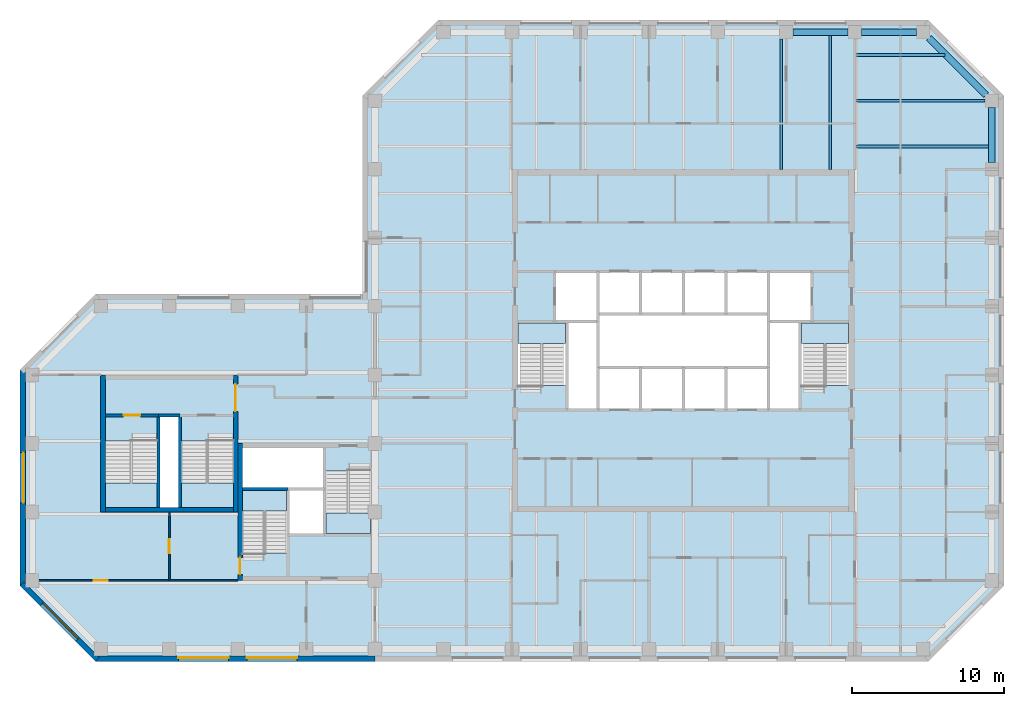
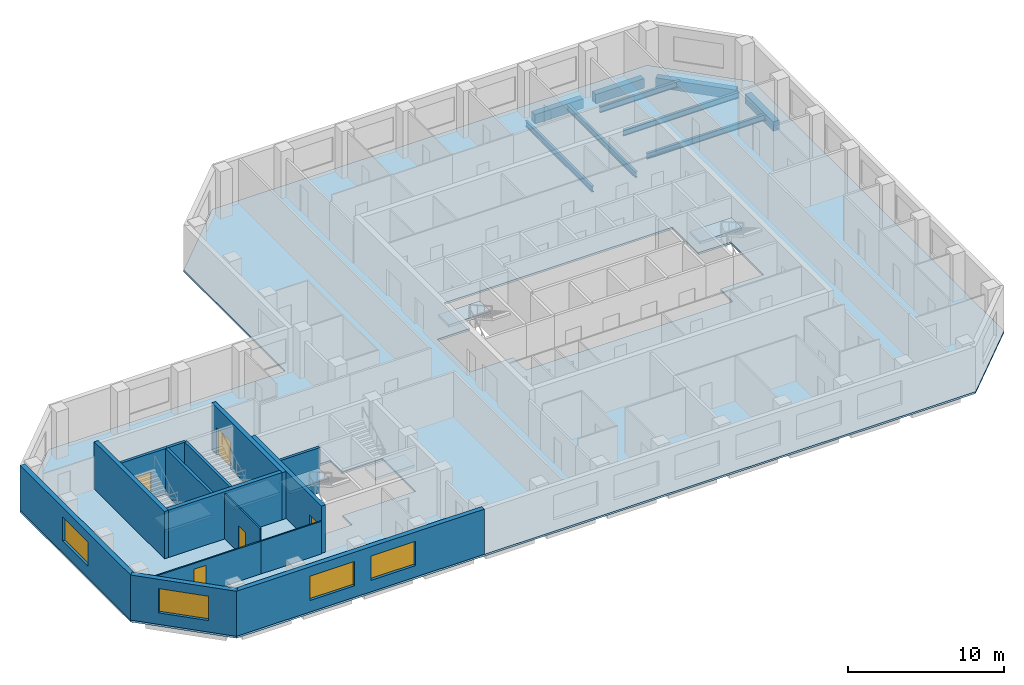
# One storey, part 2 of 9: 15 walls, 9 beams, 7 slabs, 5 doors, 4 windows, 9 openings, 6 elements without a shape of their own.
"""IFC4 building model written with IfcOpenShell, lengths in metres."""

import ifcopenshell
import ifcopenshell.guid

model = None  # the IFC model being written
_history = None  # IfcOwnerHistory: only IFC2X3 demands one
_inside = {}  # id of a spatial element -> (the spatial element, [elements in it])
_under = {}  # id of a project, library or spatial element -> (it, [spatial elements below it])
_declared = {}  # id of a project -> (the project, [libraries it declares])
_typed = {}  # id of a type object -> (the type object, [elements of that type])
_made_of = {}  # id of a material, layer set ... -> (it, [elements and type objects made of it])


def new_model(schema):
    """Start an empty IFC model of exactly this schema.

    Asked for "IFC4X3", IfcOpenShell would pick the latest addendum, in which some entities
    have other attributes; the version numbers below select the first issue.
    IFC2X3 requires an IfcOwnerHistory on every rooted entity: one is made here for all.
    """
    global model, _history
    if schema == "IFC4X3":
        model = ifcopenshell.file(schema_version=(4, 3, 0, 0))
    else:
        model = ifcopenshell.file(schema=schema)
    _inside.clear()
    _under.clear()
    _declared.clear()
    _typed.clear()
    _made_of.clear()
    _history = None
    if model.schema == "IFC2X3":
        org = make("IfcOrganization", Name="unknown")
        user = make(
            "IfcPersonAndOrganization",
            ThePerson=make("IfcPerson", FamilyName="unknown"),
            TheOrganization=org,
        )
        app = make(
            "IfcApplication",
            ApplicationDeveloper=org,
            Version="unknown",
            ApplicationFullName="unknown",
            ApplicationIdentifier="unknown",
        )
        _history = make(
            "IfcOwnerHistory",
            OwningUser=user,
            OwningApplication=app,
            ChangeAction="ADDED",
            CreationDate=0,
        )
    return model


def make(cls, **values):
    """One entity of the class cls with the attributes given. An attribute that is None is left unset."""
    return model.create_entity(
        cls, **{name: value for name, value in values.items() if value is not None}
    )


def rooted(cls, **values):
    """An entity with a GlobalId (a new one), such as an element, a storey or a relation."""
    return make(cls, GlobalId=ifcopenshell.guid.new(), OwnerHistory=_history, **values)


def si_unit(unit_type, name, prefix=None):
    """IfcSIUnit, for example si_unit("LENGTHUNIT", "METRE", prefix="MILLI")."""
    return make("IfcSIUnit", UnitType=unit_type, Prefix=prefix, Name=name)


def assignment(units):
    """IfcUnitAssignment: the units of a project."""
    return None if units is None else make("IfcUnitAssignment", Units=units)


def point(xyz):
    """IfcCartesianPoint."""
    return None if xyz is None else make("IfcCartesianPoint", Coordinates=xyz)


def direction(xyz):
    """IfcDirection."""
    return None if xyz is None else make("IfcDirection", DirectionRatios=xyz)


def frame(location, z_axis=None, x_axis=None):
    """IfcAxis2Placement3D, a coordinate frame: its origin and axes. An axis left out is left unset."""
    return make(
        "IfcAxis2Placement3D",
        Location=point(location),
        Axis=direction(z_axis),
        RefDirection=direction(x_axis),
    )


def frame_2d(location, x_axis=None):
    """IfcAxis2Placement2D, a coordinate frame in the plane: its origin and x axis."""
    return make(
        "IfcAxis2Placement2D", Location=point(location), RefDirection=direction(x_axis)
    )


def origin():
    """The frame at (0, 0, 0) with its axes left unset."""
    return frame((0.0, 0.0, 0.0))


def origin_2d():
    """The frame at (0, 0) in the plane with its x axis left unset."""
    return frame_2d((0.0, 0.0))


def place(relative_to, where):
    """IfcLocalPlacement: puts the frame where relative to a parent placement (None: the world)."""
    return make(
        "IfcLocalPlacement", PlacementRelTo=relative_to, RelativePlacement=where
    )


def context(
    kind, dimensions, precision=None, world=None, true_north=None, identifier=None
):
    """IfcGeometricRepresentationContext, for example the 3D "Model" context."""
    return make(
        "IfcGeometricRepresentationContext",
        ContextIdentifier=identifier,
        ContextType=kind,
        CoordinateSpaceDimension=dimensions,
        Precision=precision,
        WorldCoordinateSystem=world,
        TrueNorth=true_north,
    )


def subcontext(parent, identifier, kind, view, scale=None):
    """IfcGeometricRepresentationSubContext, for example "Body" below "Model"."""
    return make(
        "IfcGeometricRepresentationSubContext",
        ContextIdentifier=identifier,
        ContextType=kind,
        ParentContext=parent,
        TargetScale=scale,
        TargetView=view,
    )


def project(units=None, contexts=None):
    """IfcProject with its units and contexts."""
    return rooted(
        "IfcProject",
        Name="project",
        RepresentationContexts=contexts,
        UnitsInContext=assignment(units),
    )


def spatial(cls, under=None, at=None, **own):
    """A site, building, storey or space (cls), placed at a placement, below another one or the project."""
    s = rooted(cls, ObjectPlacement=at, **own)
    if under is not None:
        _under.setdefault(under.id(), (under, []))[1].append(s)
    return s


def polyline(points):
    """IfcPolyline through the points."""
    return make("IfcPolyline", Points=[point(p) for p in points])


def profile(cls, at=None, kind="AREA", **sizes):
    """A parametric profile (cls). Its sizes go by their IFC names, for example OverallWidth=200.0."""
    return make(cls, ProfileType=kind, Position=at, **sizes)


def rectangle(**sizes):
    """IfcRectangleProfileDef."""
    return profile("IfcRectangleProfileDef", **sizes)


def i_section(**sizes):
    """IfcIShapeProfileDef."""
    return profile("IfcIShapeProfileDef", **sizes)


def outline(outer, holes=None, kind="AREA"):
    """IfcArbitraryClosedProfileDef: a profile drawn as a closed curve; with holes, ...WithVoids."""
    if holes is None:
        return make("IfcArbitraryClosedProfileDef", ProfileType=kind, OuterCurve=outer)
    return make(
        "IfcArbitraryProfileDefWithVoids",
        ProfileType=kind,
        OuterCurve=outer,
        InnerCurves=holes,
    )


def extrude(swept, where, along, depth):
    """IfcExtrudedAreaSolid: the profile swept, set in the frame where, extruded along a direction by depth."""
    return make(
        "IfcExtrudedAreaSolid",
        SweptArea=swept,
        Position=where,
        ExtrudedDirection=direction(along),
        Depth=depth,
    )


def shape(context_of_items, identifier, shape_type, items):
    """IfcShapeRepresentation: the items that make up one representation, for example the "Body"."""
    return make(
        "IfcShapeRepresentation",
        ContextOfItems=context_of_items,
        RepresentationIdentifier=identifier,
        RepresentationType=shape_type,
        Items=items,
    )


def material(Name=None, Category=None):
    """IfcMaterial."""
    return make("IfcMaterial", Name=Name, Category=Category)


def layer(
    of_material, thickness, ventilated=None, Name=None, Category=None, Priority=None
):
    """IfcMaterialLayer: one layer of a wall or slab, of a material (None: an air gap)."""
    return make(
        "IfcMaterialLayer",
        Material=of_material,
        LayerThickness=thickness,
        IsVentilated=ventilated,
        Name=Name,
        Category=Category,
        Priority=Priority,
    )


def layer_set(layers, Name=None):
    """IfcMaterialLayerSet."""
    return make("IfcMaterialLayerSet", MaterialLayers=layers, LayerSetName=Name)


def constituent(of_material, Name=None, Category=None, fraction=None):
    """IfcMaterialConstituent: one of the materials an element consists of."""
    return make(
        "IfcMaterialConstituent",
        Name=Name,
        Material=of_material,
        Fraction=fraction,
        Category=Category,
    )


def constituent_set(constituents=None, Name=None):
    """IfcMaterialConstituentSet."""
    return make(
        "IfcMaterialConstituentSet", Name=Name, MaterialConstituents=constituents
    )


def material_profile(
    of_material, cross_section, Name=None, Category=None, Priority=None
):
    """IfcMaterialProfile: a cross section and its material."""
    return make(
        "IfcMaterialProfile",
        Name=Name,
        Material=of_material,
        Profile=cross_section,
        Priority=Priority,
        Category=Category,
    )


def profile_set(profiles, Name=None, composite=None):
    """IfcMaterialProfileSet."""
    return make(
        "IfcMaterialProfileSet",
        Name=Name,
        MaterialProfiles=profiles,
        CompositeProfile=composite,
    )


def made_of(thing, what):
    """Note that an element or type object is made of a material, layer set ...; save() writes the relation."""
    if what is not None:
        _made_of.setdefault(what.id(), (what, []))[1].append(thing)
    return thing


def type_object(cls, material=None, **own):
    """A type object (cls), such as IfcWallType, which elements share."""
    return made_of(rooted(cls, **own), material)


def element(
    cls,
    number,
    at=None,
    inside=None,
    cuts=None,
    type_object=None,
    material=None,
    context=None,
    identifier="Body",
    shape_type=None,
    held_by="IfcProductDefinitionShape",
    body=None,
    shapes=None,
    **own,
):
    """One element of the class cls, such as IfcWall. Its Tag is "e" and its number.

    at: its placement. inside: the storey or other place that contains it. cuts: it is an
    opening in that element (IfcRelVoidsElement). A single representation is given by context,
    identifier, shape_type and body (its items); several are given by shapes. held_by: the class
    of the entity that holds the representations. save() writes the other relations.
    """
    e = rooted(cls, Tag="e%d" % number, ObjectPlacement=at, **own)
    if body is not None:
        shapes = [shape(context, identifier, shape_type, body)]
    if shapes is not None:
        e.Representation = make(held_by, Representations=shapes)
    if inside is not None:
        _inside.setdefault(inside.id(), (inside, []))[1].append(e)
    if cuts is not None:
        rooted(
            "IfcRelVoidsElement", RelatingBuildingElement=cuts, RelatedOpeningElement=e
        )
    if type_object is not None:
        _typed.setdefault(type_object.id(), (type_object, []))[1].append(e)
    return made_of(e, material)


def fill(opening, filler):
    """IfcRelFillsElement: the door or window that sits in an opening."""
    return rooted(
        "IfcRelFillsElement",
        RelatingOpeningElement=opening,
        RelatedBuildingElement=filler,
    )


def aggregate(whole, parts):
    """IfcRelAggregates: a whole, such as a stair, and the parts it consists of."""
    return rooted("IfcRelAggregates", RelatingObject=whole, RelatedObjects=parts)


def save(model, path):
    """Write the relations noted so far, then the file.

    IfcRelAggregates (storeys below a building ...), IfcRelContainedInSpatialStructure (elements
    in a storey), IfcRelDefinesByType, IfcRelAssociatesMaterial and IfcRelDeclares: one each for
    every whole, place, type object, material and project.
    """
    for whole, parts in _under.values():
        aggregate(whole, parts)
    for where, things in _inside.values():
        rooted(
            "IfcRelContainedInSpatialStructure",
            RelatedElements=things,
            RelatingStructure=where,
        )
    for kind, things in _typed.values():
        rooted("IfcRelDefinesByType", RelatedObjects=things, RelatingType=kind)
    for what, things in _made_of.values():
        rooted("IfcRelAssociatesMaterial", RelatedObjects=things, RelatingMaterial=what)
    for by, libraries in _declared.values():
        rooted("IfcRelDeclares", RelatingContext=by, RelatedDefinitions=libraries)
    model.write(path)


model = new_model("IFC4")

# Units and contexts
model_context = context("Model", 3, precision=1e-05, world=origin(), true_north=direction((0.0, 1.0)))
body_context = subcontext(model_context, "Body", "Model", "MODEL_VIEW")
ifc_project = project(units=[si_unit("LENGTHUNIT", "METRE"), si_unit("AREAUNIT", "SQUARE_METRE"), si_unit("VOLUMEUNIT", "CUBIC_METRE"), si_unit("PLANEANGLEUNIT", "RADIAN"), si_unit("MASSUNIT", "GRAM", prefix="KILO")], contexts=[model_context])

# Site, building, storey
site_placement = place(None, origin())
site = spatial("IfcSite", under=ifc_project, at=site_placement, CompositionType="ELEMENT")
building_placement = place(site_placement, origin())
building = spatial("IfcBuilding", under=site, at=building_placement, Name="Quoin Convention Tower", CompositionType="ELEMENT")
storey_placement = place(building_placement, frame((0.0, 0.0, 241.5)))
storey = spatial("IfcBuildingStorey", under=building, at=storey_placement, Name="L63", CompositionType="ELEMENT", Elevation=241.5)

# Beams
ifc_material_1 = material(Name="Steel Grade 300", Category="steel")
ifc_material_profile_1 = material_profile(ifc_material_1, i_section(OverallWidth=0.18994140625, OverallDepth=0.4541015625, WebThickness=0.008544921875, FlangeThickness=0.0126953125, FilletRadius=0.011474609375, at=origin_2d()), Name="460UB67.1")
ifc_profile_set_1 = profile_set([ifc_material_profile_1], Name="Steel Grade 300")
beam_type_1 = type_object("IfcBeamType", Name="460UB67.1", PredefinedType="BEAM", material=ifc_profile_set_1)
beam_1_placement = place(storey_placement, frame((62.6787109375, 72.0, -0.376953125), z_axis=(0.0, 1.0, 0.0), x_axis=(-1.0, 0.0, 0.0)))
element("IfcBeam", 1, at=beam_1_placement, inside=storey, type_object=beam_type_1, Name="bm-L63-T1N5", PredefinedType="BEAM", context=body_context, shape_type="SweptSolid", body=[
    extrude(i_section(OverallWidth=0.18994140625, OverallDepth=0.4541015625, WebThickness=0.008544921875, FlangeThickness=0.0126953125, FilletRadius=0.011474609375, at=origin_2d()), origin(), (0.0, 0.0, 1.0), 8.550048828125),
])
beam_2_placement = place(storey_placement, frame((65.892822265625, 72.0, -0.376953125), z_axis=(0.0, 1.0, 0.0), x_axis=(-1.0, 0.0, 0.0)))
element("IfcBeam", 2, at=beam_2_placement, inside=storey, type_object=beam_type_1, Name="bm-L63-T1N6", PredefinedType="BEAM", context=body_context, shape_type="SweptSolid", body=[
    extrude(i_section(OverallWidth=0.18994140625, OverallDepth=0.4541015625, WebThickness=0.008544921875, FlangeThickness=0.0126953125, FilletRadius=0.011474609375, at=origin_2d()), origin(), (0.0, 0.0, 1.0), 8.77490234375),
])
beam_3_placement = place(storey_placement, frame((67.5, 79.5, -0.376953125), z_axis=(1.0, 0.0, 0.0), x_axis=(0.0, 1.0, 0.0)))
element("IfcBeam", 3, at=beam_3_placement, inside=storey, type_object=beam_type_1, Name="bm-L63-T1NE0", PredefinedType="BEAM", context=body_context, shape_type="SweptSolid", body=[
    extrude(i_section(OverallWidth=0.18994140625, OverallDepth=0.4541015625, WebThickness=0.008544921875, FlangeThickness=0.0126953125, FilletRadius=0.011474609375, at=origin_2d()), origin(), (0.0, 0.0, 1.0), 5.935791015625),
])
beam_4_placement = place(storey_placement, frame((67.5, 76.5, -0.376953125), z_axis=(1.0, 0.0, 0.0), x_axis=(0.0, 1.0, 0.0)))
element("IfcBeam", 4, at=beam_4_placement, inside=storey, type_object=beam_type_1, Name="bm-L63-T1NE1", PredefinedType="BEAM", context=body_context, shape_type="SweptSolid", body=[
    extrude(i_section(OverallWidth=0.18994140625, OverallDepth=0.4541015625, WebThickness=0.008544921875, FlangeThickness=0.0126953125, FilletRadius=0.011474609375, at=origin_2d()), origin(), (0.0, 0.0, 1.0), 8.550048828125),
])
beam_5_placement = place(storey_placement, frame((67.5, 73.5, -0.376953125), z_axis=(1.0, 0.0, 0.0), x_axis=(0.0, 1.0, 0.0)))
element("IfcBeam", 5, at=beam_5_placement, inside=storey, type_object=beam_type_1, Name="bm-L63-T1NE2", PredefinedType="BEAM", context=body_context, shape_type="SweptSolid", body=[
    extrude(i_section(OverallWidth=0.18994140625, OverallDepth=0.4541015625, WebThickness=0.008544921875, FlangeThickness=0.0126953125, FilletRadius=0.011474609375, at=origin_2d()), origin(), (0.0, 0.0, 1.0), 8.77490234375),
])
ifc_material_2 = material(Name="Concrete C50", Category="concrete")
ifc_material_profile_2 = material_profile(ifc_material_2, rectangle(XDim=0.449951171875, YDim=0.75, at=origin_2d()), Name="RC 450x750")
ifc_profile_set_2 = profile_set([ifc_material_profile_2], Name="Concrete C50")
beam_type_2 = type_object("IfcBeamType", Name="RC 450x750 C50", PredefinedType="SPANDREL", material=ifc_profile_set_2)
beam_6_placement = place(storey_placement, frame((76.5, 72.449951171875, -0.52490234375), z_axis=(0.0, 1.0, 0.0), x_axis=(-1.0, 0.0, 0.0)))
element("IfcBeam", 6, at=beam_6_placement, inside=storey, type_object=beam_type_2, Name="spd-L63-76500_72000-76500_76500", PredefinedType="SPANDREL", context=body_context, shape_type="SweptSolid", body=[
    extrude(rectangle(XDim=0.449951171875, YDim=0.75, at=origin_2d()), origin(), (0.0, 0.0, 1.0), 3.60009765625),
])
beam_7_placement = place(storey_placement, frame((76.135009765625, 76.864990234375, -0.52490234375), z_axis=(-0.707106781187, 0.707106781187, 0.0), x_axis=(-0.707106781187, -0.707106781187, 0.0)))
element("IfcBeam", 7, at=beam_7_placement, inside=storey, type_object=beam_type_2, Name="spd-L63-76500_76500-72000_81000", PredefinedType="SPANDREL", context=body_context, shape_type="SweptSolid", body=[
    extrude(rectangle(XDim=0.449951171875, YDim=0.75, at=origin_2d()), origin(), (0.0, 0.0, 1.0), 5.33154296875),
])
for number, where, z_axis, x_axis, name in (
    (8, (71.550048828125, 81.0, -0.52490234375), (-1.0, 0.0, 0.0), (0.0, -1.0, 0.0), "spd-L63-72000_81000-67500_81000"),
    (9, (67.050048828125, 81.0, -0.52490234375), (-1.0, 0.0, 0.0), (0.0, -1.0, 0.0), "spd-L63-67500_81000-63000_81000"),
):
    element("IfcBeam", number, at=place(storey_placement, frame(where, z_axis=z_axis, x_axis=x_axis)), inside=storey, type_object=beam_type_2, Name=name, PredefinedType="SPANDREL", context=body_context, shape_type="SweptSolid", body=[
        extrude(rectangle(XDim=0.449951171875, YDim=0.75, at=origin_2d()), origin(), (0.0, 0.0, 1.0), 3.60009765625),
    ])

# Slab
ifc_material_3 = material(Name="Concrete C40", Category="concrete")
ifc_layer_1 = layer(ifc_material_3, 0.14990234375)
ifc_layer_set_1 = layer_set([ifc_layer_1], Name="Concrete C40")
slab_type_1 = type_object("IfcSlabType", Name="COMPOSITE SLAB 150 C40", PredefinedType="FLOOR", material=ifc_layer_set_1)
slab_1_placement = place(storey_placement, frame((0.0, 0.0, -0.14990234375)))
element("IfcSlab", 10, at=slab_1_placement, inside=storey, type_object=slab_type_1, Name="slb-L63", PredefinedType="FLOOR", context=body_context, shape_type="SweptSolid", body=[
    extrude(outline(polyline([(17.668701171875, 39.699951171875), (12.699951171875, 44.668701171875), (12.699951171875, 58.831298828125), (17.668701171875, 63.800048828125), (35.199951171875, 63.800048828125), (35.199951171875, 76.831298828125), (40.168701171875, 81.800048828125), (72.331298828125, 81.800048828125), (77.300048828125, 76.831298828125), (77.300048828125, 44.668701171875), (72.331298828125, 39.699951171875), (17.668701171875, 39.699951171875)]), holes=[polyline([(27.300048828125, 51.0), (27.300048828125, 46.800537109375), (30.300048828125, 46.800537109375), (30.300048828125, 48.0), (32.699951171875, 48.0), (35.699951171875, 48.0), (35.699951171875, 52.199462890625), (32.699951171875, 52.199462890625), (32.699951171875, 53.699951171875), (27.300048828125, 53.699951171875), (27.300048828125, 51.0)]), polyline([(18.300048828125, 49.800048828125), (21.800048828125, 49.800048828125), (23.199951171875, 49.800048828125), (26.699951171875, 49.800048828125), (26.699951171875, 54.1494140625), (23.199951171875, 54.1494140625), (23.199951171875, 55.85009765625), (21.800048828125, 55.85009765625), (21.800048828125, 54.1494140625), (18.300048828125, 54.1494140625), (18.300048828125, 49.800048828125)]), polyline([(48.60009765625, 56.199951171875), (50.64990234375, 56.199951171875), (53.449951171875, 56.199951171875), (56.25, 56.199951171875), (59.050048828125, 56.199951171875), (61.85009765625, 56.199951171875), (63.89990234375, 56.199951171875), (63.89990234375, 57.800537109375), (67.10009765625, 57.800537109375), (67.10009765625, 62.0), (64.699951171875, 62.0), (64.699951171875, 65.300048828125), (61.85009765625, 65.300048828125), (59.050048828125, 65.300048828125), (56.25, 65.300048828125), (53.449951171875, 65.300048828125), (50.64990234375, 65.300048828125), (47.800048828125, 65.300048828125), (47.800048828125, 62.0), (45.39990234375, 62.0), (45.39990234375, 57.800537109375), (48.60009765625, 57.800537109375), (48.60009765625, 56.199951171875)])]), origin(), (0.0, 0.0, 1.0), 0.14990234375),
])

# Stair, slab
stair_type_1 = type_object("IfcStairType", Name="Exit stair two-flight 1350", PredefinedType="HALF_TURN_STAIR", material=ifc_material_3)
stair_1_placement = place(storey_placement, origin())
stair_1 = element("IfcStair", 11, at=stair_1_placement, inside=storey, type_object=stair_type_1, Name="SD1 L63", PredefinedType="HALF_TURN_STAIR")
ifc_layer_2 = layer(ifc_material_3, 0.199951171875)
ifc_layer_set_2 = layer_set([ifc_layer_2], Name="Concrete C40")
slab_type_2 = type_object("IfcSlabType", Name="Stair landing 200", PredefinedType="LANDING", material=ifc_layer_set_2)
slab_2_placement = place(storey_placement, frame((0.0, 0.0, 1.792236328125)))
slab_2 = element("IfcSlab", 12, at=slab_2_placement, type_object=slab_type_2, Name="ST1 landing 1", PredefinedType="LANDING", context=body_context, shape_type="SweptSolid", body=[
    extrude(outline(polyline([(45.39990234375, 60.550048828125), (48.5, 60.550048828125), (48.5, 61.89990234375), (45.39990234375, 61.89990234375), (45.39990234375, 60.550048828125)])), origin(), (0.0, 0.0, 1.0), 0.199951171875),
])
aggregate(stair_1, [slab_2])

stair_2_placement = place(storey_placement, origin())
stair_2 = element("IfcStair", 13, at=stair_2_placement, inside=storey, type_object=stair_type_1, Name="SD2 L63", PredefinedType="HALF_TURN_STAIR")
slab_3_placement = place(storey_placement, frame((0.0, 0.0, 1.792236328125)))
slab_3 = element("IfcSlab", 14, at=slab_3_placement, type_object=slab_type_2, Name="ST2 landing 1", PredefinedType="LANDING", context=body_context, shape_type="SweptSolid", body=[
    extrude(outline(polyline([(64.0, 60.550048828125), (67.10009765625, 60.550048828125), (67.10009765625, 61.89990234375), (64.0, 61.89990234375), (64.0, 60.550048828125)])), origin(), (0.0, 0.0, 1.0), 0.199951171875),
])
aggregate(stair_2, [slab_3])

stair_3_placement = place(storey_placement, origin())
stair_3 = element("IfcStair", 15, at=stair_3_placement, inside=storey, type_object=stair_type_1, Name="SD3 L63", PredefinedType="HALF_TURN_STAIR")
slab_4_placement = place(storey_placement, frame((0.0, 0.0, 1.792236328125)))
slab_4 = element("IfcSlab", 16, at=slab_4_placement, type_object=slab_type_2, Name="ST3 landing 1", PredefinedType="LANDING", context=body_context, shape_type="SweptSolid", body=[
    extrude(outline(polyline([(27.300048828125, 49.550048828125), (30.199951171875, 49.550048828125), (30.199951171875, 50.89990234375), (27.300048828125, 50.89990234375), (27.300048828125, 49.550048828125)])), origin(), (0.0, 0.0, 1.0), 0.199951171875),
])
aggregate(stair_3, [slab_4])

stair_4_placement = place(storey_placement, origin())
stair_4 = element("IfcStair", 17, at=stair_4_placement, inside=storey, type_object=stair_type_1, Name="SD4 L63", PredefinedType="HALF_TURN_STAIR")
slab_5_placement = place(storey_placement, frame((0.0, 0.0, 1.792236328125)))
slab_5 = element("IfcSlab", 18, at=slab_5_placement, type_object=slab_type_2, Name="ST4 landing 1", PredefinedType="LANDING", context=body_context, shape_type="SweptSolid", body=[
    extrude(outline(polyline([(35.699951171875, 49.449951171875), (32.800048828125, 49.449951171875), (32.800048828125, 48.10009765625), (35.699951171875, 48.10009765625), (35.699951171875, 49.449951171875)])), origin(), (0.0, 0.0, 1.0), 0.199951171875),
])
aggregate(stair_4, [slab_5])

stair_type_2 = type_object("IfcStairType", Name="Exit stair two-flight 1600", PredefinedType="HALF_TURN_STAIR", material=ifc_material_3)
stair_5_placement = place(storey_placement, origin())
stair_5 = element("IfcStair", 19, at=stair_5_placement, inside=storey, type_object=stair_type_2, Name="SD11 L63", PredefinedType="HALF_TURN_STAIR")
slab_6_placement = place(storey_placement, frame((0.0, 0.0, 1.792236328125)))
slab_6 = element("IfcSlab", 20, at=slab_6_placement, type_object=slab_type_2, Name="ST11 landing 1", PredefinedType="LANDING", context=body_context, shape_type="SweptSolid", body=[
    extrude(outline(polyline([(21.699951171875, 51.39990234375), (18.300048828125, 51.39990234375), (18.300048828125, 49.800048828125), (21.699951171875, 49.800048828125), (21.699951171875, 51.39990234375)])), origin(), (0.0, 0.0, 1.0), 0.199951171875),
])
aggregate(stair_5, [slab_6])

stair_6_placement = place(storey_placement, origin())
stair_6 = element("IfcStair", 21, at=stair_6_placement, inside=storey, type_object=stair_type_2, Name="SD12 L63", PredefinedType="HALF_TURN_STAIR")
slab_7_placement = place(storey_placement, frame((0.0, 0.0, 1.792236328125)))
slab_7 = element("IfcSlab", 22, at=slab_7_placement, type_object=slab_type_2, Name="ST12 landing 1", PredefinedType="LANDING", context=body_context, shape_type="SweptSolid", body=[
    extrude(outline(polyline([(26.699951171875, 51.39990234375), (23.300048828125, 51.39990234375), (23.300048828125, 49.800048828125), (26.699951171875, 49.800048828125), (26.699951171875, 51.39990234375)])), origin(), (0.0, 0.0, 1.0), 0.199951171875),
])
aggregate(stair_6, [slab_7])

# Wall, opening, window
ifc_material_4 = material(Name="Brick masonry", Category="masonry")
ifc_layer_3 = layer(ifc_material_4, 0.35009765625)
ifc_layer_set_3 = layer_set([ifc_layer_3], Name="Brick masonry")
wall_type_1 = type_object("IfcWallType", Name="Brick facade wall", PredefinedType="STANDARD", material=ifc_layer_set_3)
wall_1_placement = place(storey_placement, frame((12.875, 58.831298828125, 0.0), z_axis=(0.0, 0.0, 1.0), x_axis=(0.0, -1.0, 0.0)))
wall_1 = element("IfcWall", 23, at=wall_1_placement, inside=storey, type_object=wall_type_1, Name="fw-L63-13500_58500", PredefinedType="STANDARD", context=body_context, shape_type="SweptSolid", body=[
    extrude(rectangle(XDim=14.16259765625, YDim=0.35009765625, at=frame_2d((7.081298828125, 0.0))), origin(), (0.0, 0.0, 1.0), 3.52490234375),
])
opening_1_placement = place(wall_1_placement, frame((5.431396484375, 0.0, 0.89990234375)))
opening_1 = element("IfcOpeningElement", 24, at=opening_1_placement, cuts=wall_1, Name="Opening W-02", PredefinedType="OPENING", context=body_context, shape_type="SweptSolid", body=[
    extrude(rectangle(XDim=3.300048828125, YDim=1.89990234375, at=frame_2d((1.64990234375, 0.949951171875))), frame((0.0, 0.18505859375, 0.0), z_axis=(0.0, -1.0, 0.0), x_axis=(1.0, 0.0, 0.0)), (0.0, 0.0, 1.0), 0.3701171875),
])
ifc_material_5 = material(Name="Aluminium", Category="aluminium")
ifc_constituent_1 = constituent(ifc_material_5, Name="Frame")
ifc_material_6 = material(Name="Insulated glass", Category="glass")
ifc_constituent_2 = constituent(ifc_material_6, Name="Glazing")
ifc_constituent_set = constituent_set(constituents=[ifc_constituent_1, ifc_constituent_2], Name="Aluminium")
window_type = type_object("IfcWindowType", Name="Office window", PartitioningType="DOUBLE_PANEL_VERTICAL", PredefinedType="WINDOW", material=ifc_constituent_set)
window_1_placement = place(opening_1_placement, origin())
window_1 = element("IfcWindow", 25, at=window_1_placement, inside=storey, type_object=window_type, Name="win-L63-12875_51750", OverallHeight=1.89990234375, OverallWidth=3.300048828125, PartitioningType="SINGLE_PANEL", PredefinedType="WINDOW", context=body_context, shape_type="SweptSolid", body=[
    extrude(rectangle(XDim=3.300048828125, YDim=1.89990234375, at=frame_2d((1.64990234375, 0.949951171875))), frame((0.0, 0.0849609375, 0.0), z_axis=(0.0, -1.0, 0.0), x_axis=(1.0, 0.0, 0.0)), (0.0, 0.0, 1.0), 0.06005859375),
])
fill(opening_1, window_1)

wall_2_placement = place(storey_placement, frame((12.82373046875, 44.79248046875, 0.0), z_axis=(0.0, 0.0, 1.0), x_axis=(0.707106781187, -0.707106781187, 0.0)))
wall_2 = element("IfcWall", 26, at=wall_2_placement, inside=storey, type_object=wall_type_1, Name="fw-L63-13500_45000", PredefinedType="STANDARD", context=body_context, shape_type="SweptSolid", body=[
    extrude(rectangle(XDim=7.02685546875, YDim=0.35009765625, at=frame_2d((3.513427734375, 0.0))), origin(), (0.0, 0.0, 1.0), 3.52490234375),
])
opening_2_placement = place(wall_2_placement, frame((1.86328125, 0.0, 0.89990234375)))
opening_2 = element("IfcOpeningElement", 27, at=opening_2_placement, cuts=wall_2, Name="Opening W-02", PredefinedType="OPENING", context=body_context, shape_type="SweptSolid", body=[
    extrude(rectangle(XDim=3.300048828125, YDim=1.89990234375, at=frame_2d((1.64990234375, 0.949951171875))), frame((0.0, 0.18505859375, 0.0), z_axis=(0.0, -1.0, 0.0), x_axis=(1.0, 0.0, 0.0)), (0.0, 0.0, 1.0), 0.3701171875),
])
window_2_placement = place(opening_2_placement, origin())
window_2 = element("IfcWindow", 28, at=window_2_placement, inside=storey, type_object=window_type, Name="win-L63-15308_42308", OverallHeight=1.89990234375, OverallWidth=3.300048828125, PartitioningType="SINGLE_PANEL", PredefinedType="WINDOW", context=body_context, shape_type="SweptSolid", body=[
    extrude(rectangle(XDim=3.300048828125, YDim=1.89990234375, at=frame_2d((1.64990234375, 0.949951171875))), frame((0.0, 0.0849609375, 0.0), z_axis=(0.0, -1.0, 0.0), x_axis=(1.0, 0.0, 0.0)), (0.0, 0.0, 1.0), 0.06005859375),
])
fill(opening_2, window_2)

# Wall, openings, windows
wall_3_placement = place(storey_placement, frame((17.668701171875, 39.875, 0.0), z_axis=(0.0, 0.0, 1.0), x_axis=(1.0, 0.0, 0.0)))
wall_3 = element("IfcWall", 29, at=wall_3_placement, inside=storey, type_object=wall_type_1, Name="fw-L63-18000_40500", PredefinedType="STANDARD", context=body_context, shape_type="SweptSolid", body=[
    extrude(rectangle(XDim=18.331298828125, YDim=0.35009765625, at=frame_2d((9.16552734375, 0.0))), origin(), (0.0, 0.0, 1.0), 3.52490234375),
])
opening_3_placement = place(wall_3_placement, frame((5.431396484375, 0.0, 0.89990234375)))
opening_3 = element("IfcOpeningElement", 30, at=opening_3_placement, cuts=wall_3, Name="Opening W-02", PredefinedType="OPENING", context=body_context, shape_type="SweptSolid", body=[
    extrude(rectangle(XDim=3.300048828125, YDim=1.89990234375, at=frame_2d((1.64990234375, 0.949951171875))), frame((0.0, 0.18505859375, 0.0), z_axis=(0.0, -1.0, 0.0), x_axis=(1.0, 0.0, 0.0)), (0.0, 0.0, 1.0), 0.3701171875),
])
opening_4_placement = place(wall_3_placement, frame((9.931396484375, 0.0, 0.89990234375)))
opening_4 = element("IfcOpeningElement", 31, at=opening_4_placement, cuts=wall_3, Name="Opening W-02", PredefinedType="OPENING", context=body_context, shape_type="SweptSolid", body=[
    extrude(rectangle(XDim=3.300048828125, YDim=1.89990234375, at=frame_2d((1.64990234375, 0.949951171875))), frame((0.0, 0.18505859375, 0.0), z_axis=(0.0, -1.0, 0.0), x_axis=(1.0, 0.0, 0.0)), (0.0, 0.0, 1.0), 0.3701171875),
])
window_3_placement = place(opening_3_placement, origin())
window_3 = element("IfcWindow", 32, at=window_3_placement, inside=storey, type_object=window_type, Name="win-L63-24750_39875", OverallHeight=1.89990234375, OverallWidth=3.300048828125, PartitioningType="SINGLE_PANEL", PredefinedType="WINDOW", context=body_context, shape_type="SweptSolid", body=[
    extrude(rectangle(XDim=3.300048828125, YDim=1.89990234375, at=frame_2d((1.64990234375, 0.949951171875))), frame((0.0, 0.0849609375, 0.0), z_axis=(0.0, -1.0, 0.0), x_axis=(1.0, 0.0, 0.0)), (0.0, 0.0, 1.0), 0.06005859375),
])
fill(opening_3, window_3)
window_4_placement = place(opening_4_placement, origin())
window_4 = element("IfcWindow", 33, at=window_4_placement, inside=storey, type_object=window_type, Name="win-L63-29250_39875", OverallHeight=1.89990234375, OverallWidth=3.300048828125, PartitioningType="SINGLE_PANEL", PredefinedType="WINDOW", context=body_context, shape_type="SweptSolid", body=[
    extrude(rectangle(XDim=3.300048828125, YDim=1.89990234375, at=frame_2d((1.64990234375, 0.949951171875))), frame((0.0, 0.0849609375, 0.0), z_axis=(0.0, -1.0, 0.0), x_axis=(1.0, 0.0, 0.0)), (0.0, 0.0, 1.0), 0.06005859375),
])
fill(opening_4, window_4)

# Walls
ifc_layer_4 = layer(ifc_material_2, 0.199951171875)
ifc_layer_set_4 = layer_set([ifc_layer_4], Name="Concrete C50")
wall_type_2 = type_object("IfcWallType", Name="Core shaft wall", PredefinedType="SOLIDWALL", material=ifc_layer_set_4)
wall_4_placement = place(storey_placement, frame((27.300048828125, 51.0, 0.0), z_axis=(0.0, 0.0, 1.0), x_axis=(1.0, 0.0, 0.0)))
element("IfcWall", 34, at=wall_4_placement, inside=storey, type_object=wall_type_2, Name="cr-P2-L63-h6000_300", PredefinedType="SOLIDWALL", context=body_context, shape_type="SweptSolid", body=[
    extrude(rectangle(XDim=3.0, YDim=0.199951171875, at=frame_2d((1.5, 0.0))), origin(), (0.0, 0.0, 1.0), 3.550048828125),
])
wall_5_placement = place(storey_placement, frame((21.800048828125, 55.85009765625, 0.0), z_axis=(0.0, 0.0, 1.0), x_axis=(1.0, 0.0, 0.0)))
element("IfcWall", 35, at=wall_5_placement, inside=storey, type_object=wall_type_2, Name="cr-P6-L63-h6350_3800", PredefinedType="SOLIDWALL", context=body_context, shape_type="SweptSolid", body=[
    extrude(rectangle(XDim=1.39990234375, YDim=0.199951171875, at=frame_2d((0.699951171875, 0.0))), origin(), (0.0, 0.0, 1.0), 3.550048828125),
])

# Wall, opening, door
wall_6_placement = place(storey_placement, frame((18.300048828125, 55.85009765625, 0.0), z_axis=(0.0, 0.0, 1.0), x_axis=(1.0, 0.0, 0.0)))
wall_6 = element("IfcWall", 36, at=wall_6_placement, inside=storey, type_object=wall_type_2, Name="cr-P6-L63-h6350_300", PredefinedType="SOLIDWALL", context=body_context, shape_type="SweptSolid", body=[
    extrude(rectangle(XDim=3.5, YDim=0.199951171875, at=frame_2d((1.75, 0.0))), origin(), (0.0, 0.0, 1.0), 3.550048828125),
])
opening_5_placement = place(wall_6_placement, frame((1.199951171875, 0.0, 0.0)))
opening_5 = element("IfcOpeningElement", 37, at=opening_5_placement, cuts=wall_6, Name="Opening SD11", PredefinedType="OPENING", context=body_context, shape_type="SweptSolid", body=[
    extrude(rectangle(XDim=1.10009765625, YDim=2.10009765625, at=frame_2d((0.550048828125, 1.050048828125))), frame((0.0, 0.10986328125, 0.0), z_axis=(0.0, -1.0, 0.0), x_axis=(1.0, 0.0, 0.0)), (0.0, 0.0, 1.0), 0.219970703125),
])
ifc_material_7 = material(Name="Steel door leaf", Category="steel")
door_type_1 = type_object("IfcDoorType", Name="Stair door 1100 x 2100", OperationType="SINGLE_SWING_RIGHT", PredefinedType="DOOR", material=ifc_material_7)
door_1_placement = place(opening_5_placement, origin())
door_1 = element("IfcDoor", 38, at=door_1_placement, inside=storey, type_object=door_type_1, Name="cd-P6-L63-SA-R2-SD11", OperationType="SINGLE_SWING_RIGHT", OverallHeight=2.10009765625, OverallWidth=1.10009765625, PredefinedType="DOOR", context=body_context, shape_type="SweptSolid", body=[
    extrude(rectangle(XDim=1.10009765625, YDim=2.10009765625, at=frame_2d((0.550048828125, 1.050048828125))), frame((0.0, 0.02490234375, 0.0), z_axis=(0.0, -1.0, 0.0), x_axis=(1.0, 0.0, 0.0)), (0.0, 0.0, 1.0), 0.050048828125),
])
fill(opening_5, door_1)

# Walls
for number, where, z_axis, x_axis, name in (
    (39, (21.800048828125, 49.800048828125, 0.0), (0.0, 0.0, 1.0), (0.0, 1.0, 0.0), "cr-P6-L63-v3800_300"),
    (40, (23.199951171875, 49.800048828125, 0.0), (0.0, 0.0, 1.0), (0.0, 1.0, 0.0), "cr-P6-L63-v5200_300"),
):
    element("IfcWall", number, at=place(storey_placement, frame(where, z_axis=z_axis, x_axis=x_axis)), inside=storey, type_object=wall_type_2, Name=name, PredefinedType="SOLIDWALL", context=body_context, shape_type="SweptSolid", body=[
        extrude(rectangle(XDim=6.050048828125, YDim=0.199951171875, at=frame_2d((3.02490234375, 0.0))), origin(), (0.0, 0.0, 1.0), 3.550048828125),
    ])

# Wall, opening, door
ifc_layer_5 = layer(ifc_material_2, 0.300048828125)
ifc_layer_set_5 = layer_set([ifc_layer_5], Name="Concrete C50")
wall_type_3 = type_object("IfcWallType", Name="RC CORE WALL 300 C50", PredefinedType="SHEAR", material=ifc_layer_set_5)
wall_7_placement = place(storey_placement, frame((27.14990234375, 45.0, 0.0), z_axis=(0.0, 0.0, 1.0), x_axis=(0.0, 1.0, 0.0)))
wall_7 = element("IfcWall", 41, at=wall_7_placement, inside=storey, type_object=wall_type_3, Name="cwl-P2-L63-W", PredefinedType="SHEAR", context=body_context, shape_type="SweptSolid", body=[
    extrude(rectangle(XDim=9.0, YDim=0.300048828125, at=frame_2d((4.5, 0.0))), origin(), (0.0, 0.0, 1.0), 3.699951171875),
])
opening_6_placement = place(wall_7_placement, frame((0.39990234375, 0.0, 0.0)))
opening_6 = element("IfcOpeningElement", 42, at=opening_6_placement, cuts=wall_7, Name="Opening SD3", PredefinedType="OPENING", context=body_context, shape_type="SweptSolid", body=[
    extrude(rectangle(XDim=1.10009765625, YDim=2.10009765625, at=frame_2d((0.550048828125, 1.050048828125))), frame((0.0, 0.159912109375, 0.0), z_axis=(0.0, -1.0, 0.0), x_axis=(1.0, 0.0, 0.0)), (0.0, 0.0, 1.0), 0.320068359375),
])
door_2_placement = place(opening_6_placement, frame((1.10009765625, 0.0, 0.0), z_axis=(0.0, 0.0, 1.0), x_axis=(-1.0, 0.0, 0.0)))
door_2 = element("IfcDoor", 43, at=door_2_placement, inside=storey, type_object=door_type_1, Name="cd-P2-L63-SA-W", OperationType="SINGLE_SWING_RIGHT", OverallHeight=2.10009765625, OverallWidth=1.10009765625, PredefinedType="DOOR", context=body_context, shape_type="SweptSolid", body=[
    extrude(rectangle(XDim=1.10009765625, YDim=2.10009765625, at=frame_2d((0.550048828125, 1.050048828125))), frame((0.0, 0.02490234375, 0.0), z_axis=(0.0, -1.0, 0.0), x_axis=(1.0, 0.0, 0.0)), (0.0, 0.0, 1.0), 0.050048828125),
])
fill(opening_6, door_2)

# Walls
wall_8_placement = place(storey_placement, frame((18.300048828125, 49.64990234375, 0.0), z_axis=(0.0, 0.0, 1.0), x_axis=(1.0, 0.0, 0.0)))
element("IfcWall", 44, at=wall_8_placement, inside=storey, type_object=wall_type_3, Name="cwl-P6-L63-S", PredefinedType="SHEAR", context=body_context, shape_type="SweptSolid", body=[
    extrude(rectangle(XDim=8.39990234375, YDim=0.300048828125, at=frame_2d((4.199951171875, 0.0))), origin(), (0.0, 0.0, 1.0), 3.699951171875),
])
wall_9_placement = place(storey_placement, frame((18.14990234375, 49.5, 0.0), z_axis=(0.0, 0.0, 1.0), x_axis=(0.0, 1.0, 0.0)))
element("IfcWall", 45, at=wall_9_placement, inside=storey, type_object=wall_type_3, Name="cwl-P6-L63-W", PredefinedType="SHEAR", context=body_context, shape_type="SweptSolid", body=[
    extrude(rectangle(XDim=9.0, YDim=0.300048828125, at=frame_2d((4.5, 0.0))), origin(), (0.0, 0.0, 1.0), 3.699951171875),
])

# Wall, opening, door
wall_10_placement = place(storey_placement, frame((26.85009765625, 49.5, 0.0), z_axis=(0.0, 0.0, 1.0), x_axis=(0.0, 1.0, 0.0)))
wall_10 = element("IfcWall", 46, at=wall_10_placement, inside=storey, type_object=wall_type_3, Name="cwl-P6-L63-E", PredefinedType="SHEAR", context=body_context, shape_type="SweptSolid", body=[
    extrude(rectangle(XDim=9.0, YDim=0.300048828125, at=frame_2d((4.5, 0.0))), origin(), (0.0, 0.0, 1.0), 3.699951171875),
])
opening_7_placement = place(wall_10_placement, frame((6.60009765625, 0.0, 0.0)))
opening_7 = element("IfcOpeningElement", 47, at=opening_7_placement, cuts=wall_10, Name="Opening DCV3-44", PredefinedType="OPENING", context=body_context, shape_type="SweptSolid", body=[
    extrude(rectangle(XDim=1.800048828125, YDim=2.10009765625, at=frame_2d((0.89990234375, 1.050048828125))), frame((0.0, 0.159912109375, 0.0), z_axis=(0.0, -1.0, 0.0), x_axis=(1.0, 0.0, 0.0)), (0.0, 0.0, 1.0), 0.320068359375),
])
door_type_2 = type_object("IfcDoorType", Name="Goods lobby door 1800 x 2100", OperationType="SINGLE_SWING_LEFT", PredefinedType="DOOR", material=ifc_material_7)
door_3_placement = place(opening_7_placement, origin())
door_3 = element("IfcDoor", 48, at=door_3_placement, inside=storey, type_object=door_type_2, Name="cd-P6-L63-R2-E", OperationType="SINGLE_SWING_LEFT", OverallHeight=2.10009765625, OverallWidth=1.800048828125, PredefinedType="DOOR", context=body_context, shape_type="SweptSolid", body=[
    extrude(rectangle(XDim=1.800048828125, YDim=2.10009765625, at=frame_2d((0.89990234375, 1.050048828125))), frame((0.0, 0.02490234375, 0.0), z_axis=(0.0, -1.0, 0.0), x_axis=(1.0, 0.0, 0.0)), (0.0, 0.0, 1.0), 0.050048828125),
])
fill(opening_7, door_3)

ifc_material_8 = material(Name="Plasterboard")
ifc_layer_6 = layer(ifc_material_8, 0.012451171875, Name="Finish")
ifc_material_9 = material(Name="Steel stud framing", Category="steel")
ifc_layer_7 = layer(ifc_material_9, 0.074951171875, Name="Structure")
ifc_layer_8 = layer(ifc_material_8, 0.012451171875, Name="Finish")
ifc_layer_set_6 = layer_set([ifc_layer_6, ifc_layer_7, ifc_layer_8], Name="Steel stud framing")
wall_type_4 = type_object("IfcWallType", Name="Stud partition 100", PredefinedType="PARTITIONING", material=ifc_layer_set_6)
wall_11_placement = place(storey_placement, frame((22.5, 49.5, 0.0), z_axis=(0.0, 0.0, 1.0), x_axis=(0.0, -1.0, 0.0)))
wall_11 = element("IfcWall", 49, at=wall_11_placement, inside=storey, type_object=wall_type_4, Name="pw-L63-w05", PredefinedType="PARTITIONING", context=body_context, shape_type="SweptSolid", body=[
    extrude(rectangle(XDim=4.5, YDim=0.10009765625, at=frame_2d((2.25, 0.0))), origin(), (0.0, 0.0, 1.0), 3.550048828125),
])
opening_8_placement = place(wall_11_placement, frame((1.800048828125, 0.0, 0.0)))
opening_8 = element("IfcOpeningElement", 50, at=opening_8_placement, cuts=wall_11, Name="Opening DOH11-31", PredefinedType="OPENING", context=body_context, shape_type="SweptSolid", body=[
    extrude(rectangle(XDim=0.89990234375, YDim=2.10009765625, at=frame_2d((0.449951171875, 1.050048828125))), frame((0.0, 0.06005859375, 0.0), z_axis=(0.0, -1.0, 0.0), x_axis=(1.0, 0.0, 0.0)), (0.0, 0.0, 1.0), 0.1201171875),
])
door_type_3 = type_object("IfcDoorType", Name="Office door 900 x 2100", OperationType="SINGLE_SWING_RIGHT", PredefinedType="DOOR", material=ifc_material_7)
door_4_placement = place(opening_8_placement, frame((0.89990234375, 0.0, 0.0), z_axis=(0.0, 0.0, 1.0), x_axis=(-1.0, 0.0, 0.0)))
door_4 = element("IfcDoor", 51, at=door_4_placement, inside=storey, type_object=door_type_3, Name="dr-L63-w05", OperationType="SINGLE_SWING_LEFT", OverallHeight=2.10009765625, OverallWidth=0.89990234375, PredefinedType="DOOR", context=body_context, shape_type="SweptSolid", body=[
    extrude(rectangle(XDim=0.89990234375, YDim=2.10009765625, at=frame_2d((0.449951171875, 1.050048828125))), frame((0.0, 0.02490234375, 0.0), z_axis=(0.0, -1.0, 0.0), x_axis=(1.0, 0.0, 0.0)), (0.0, 0.0, 1.0), 0.050048828125),
])
fill(opening_8, door_4)

ifc_layer_9 = layer(ifc_material_8, 0.012451171875, Name="Finish")
ifc_layer_10 = layer(ifc_material_9, 0.074951171875, Name="Structure")
ifc_layer_11 = layer(ifc_material_8, 0.012451171875, Name="Finish")
ifc_layer_set_7 = layer_set([ifc_layer_9, ifc_layer_10, ifc_layer_11], Name="Steel stud framing")
wall_type_5 = type_object("IfcWallType", Name="Stud partition 100 under beam 1000", PredefinedType="PARTITIONING", material=ifc_layer_set_7)
wall_12_placement = place(storey_placement, frame((22.5, 45.0, 0.0), z_axis=(0.0, 0.0, 1.0), x_axis=(-1.0, 0.0, 0.0)))
wall_12 = element("IfcWall", 52, at=wall_12_placement, inside=storey, type_object=wall_type_5, Name="pw-L63-w04", PredefinedType="PARTITIONING", context=body_context, shape_type="SweptSolid", body=[
    extrude(rectangle(XDim=9.0, YDim=0.10009765625, at=frame_2d((4.5, 0.0))), origin(), (0.0, 0.0, 1.0), 2.550048828125),
])
opening_9_placement = place(wall_12_placement, frame((4.050048828125, 0.0, 0.0)))
opening_9 = element("IfcOpeningElement", 53, at=opening_9_placement, cuts=wall_12, Name="Opening DOH11-30", PredefinedType="OPENING", context=body_context, shape_type="SweptSolid", body=[
    extrude(rectangle(XDim=0.89990234375, YDim=2.10009765625, at=frame_2d((0.449951171875, 1.050048828125))), frame((0.0, 0.06005859375, 0.0), z_axis=(0.0, -1.0, 0.0), x_axis=(1.0, 0.0, 0.0)), (0.0, 0.0, 1.0), 0.1201171875),
])
door_5_placement = place(opening_9_placement, frame((0.89990234375, 0.0, 0.0), z_axis=(0.0, 0.0, 1.0), x_axis=(-1.0, 0.0, 0.0)))
door_5 = element("IfcDoor", 54, at=door_5_placement, inside=storey, type_object=door_type_3, Name="dr-L63-w04", OperationType="SINGLE_SWING_RIGHT", OverallHeight=2.10009765625, OverallWidth=0.89990234375, PredefinedType="DOOR", context=body_context, shape_type="SweptSolid", body=[
    extrude(rectangle(XDim=0.89990234375, YDim=2.10009765625, at=frame_2d((0.449951171875, 1.050048828125))), frame((0.0, 0.02490234375, 0.0), z_axis=(0.0, -1.0, 0.0), x_axis=(1.0, 0.0, 0.0)), (0.0, 0.0, 1.0), 0.050048828125),
])
fill(opening_9, door_5)

# Wall
wall_13_placement = place(storey_placement, frame((22.5, 45.0, 0.0), z_axis=(0.0, 0.0, 1.0), x_axis=(1.0, 0.0, 0.0)))
element("IfcWall", 55, at=wall_13_placement, inside=storey, type_object=wall_type_5, Name="pw-L63-w06", PredefinedType="PARTITIONING", context=body_context, shape_type="SweptSolid", body=[
    extrude(rectangle(XDim=4.5, YDim=0.10009765625, at=frame_2d((2.25, 0.0))), origin(), (0.0, 0.0, 1.0), 2.550048828125),
])

save(model, "model.ifc")
